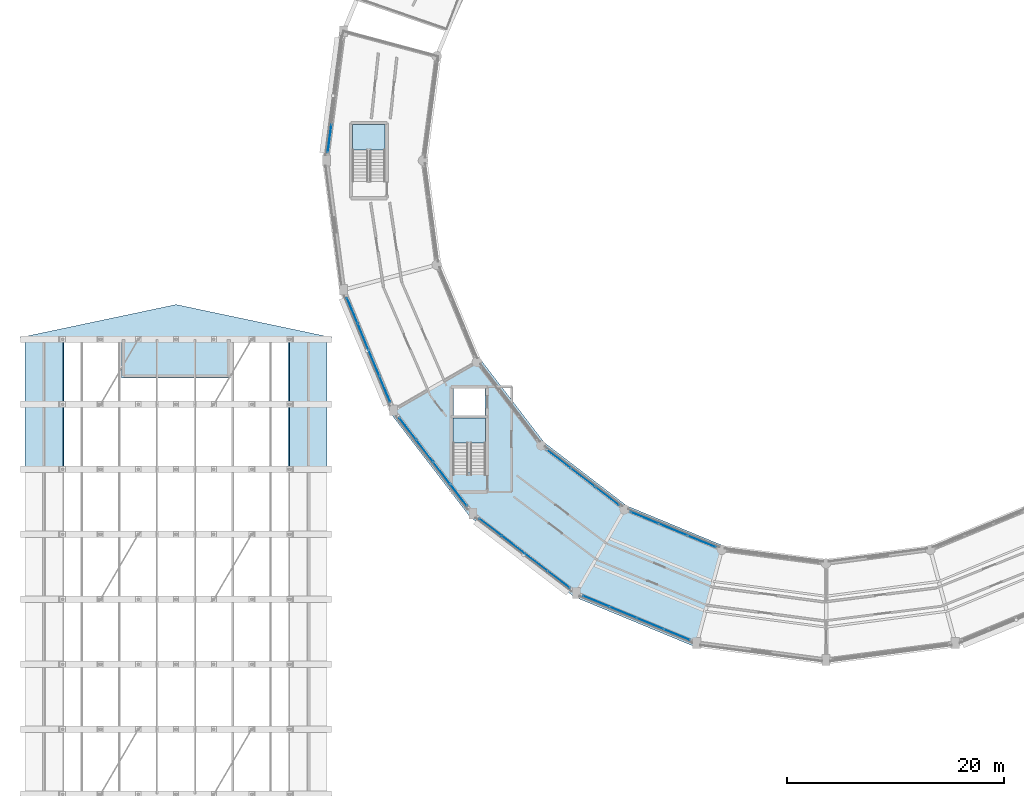
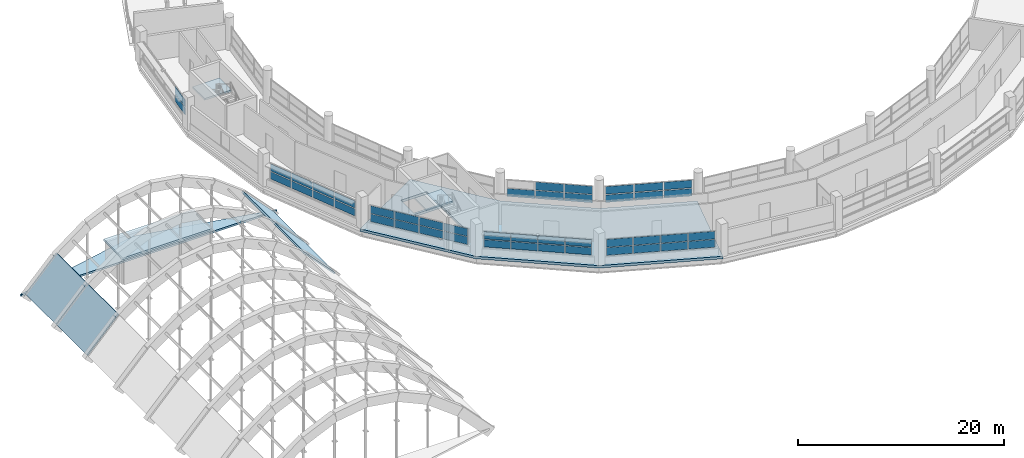
# One storey, part 67 of 88: 45 plates, 9 slabs, 10 elements without a shape of their own.
"""IFC4 building model written with IfcOpenShell, lengths in metres."""

from ifc_helpers import new_model, si_unit, direction, frame, origin, origin_2d, place, context, subcontext, project, spatial, polyline, rectangle, outline, extrude, material, layer, layer_set, type_object, element, aggregate, save


model = new_model("IFC4")

# Units and contexts
model_context = context("Model", 3, precision=1e-05, world=origin(), true_north=direction((0.0, 1.0)))
body_context = subcontext(model_context, "Body", "Model", "MODEL_VIEW")
ifc_project = project(units=[si_unit("LENGTHUNIT", "METRE"), si_unit("AREAUNIT", "SQUARE_METRE"), si_unit("VOLUMEUNIT", "CUBIC_METRE"), si_unit("PLANEANGLEUNIT", "RADIAN"), si_unit("MASSUNIT", "GRAM", prefix="KILO")], contexts=[model_context])

# Site, building, storey
site_placement = place(None, origin())
site = spatial("IfcSite", under=ifc_project, at=site_placement, CompositionType="ELEMENT")
building_placement = place(site_placement, origin())
building = spatial("IfcBuilding", under=site, at=building_placement, Name="Vespera Passage Community Centre", CompositionType="ELEMENT")
storey_placement = place(building_placement, frame((0.0, 0.0, 16.5)))
storey = spatial("IfcBuildingStorey", under=building, at=storey_placement, Name="L04", CompositionType="ELEMENT", Elevation=16.5)

# Curtain wall, plates
ifc_material_1 = material(Name="Anodized aluminium 6063-T6", Category="aluminium")
ifc_layer_1 = layer(ifc_material_1, 0.159912109375)
ifc_layer_set_1 = layer_set([ifc_layer_1], Name="Anodized aluminium 6063-T6")
curtain_wall_type_1 = type_object("IfcCurtainWallType", Name="CW-53E", PredefinedType="NOTDEFINED", material=ifc_layer_set_1)
curtain_wall_1_placement = place(storey_placement, origin())
curtain_wall_1 = element("IfcCurtainWall", 1, at=curtain_wall_1_placement, inside=storey, type_object=curtain_wall_type_1, Name="V4 L04 Outer Ribbon Curtain Wall 15", PredefinedType="NOTDEFINED")
ifc_material_2 = material(Name="Low-E insulated vision glass", Category="glass")
ifc_layer_2 = layer(ifc_material_2, 0.02001953125)
ifc_layer_set_2 = layer_set([ifc_layer_2], Name="Low-E insulated vision glass")
plate_type_1 = type_object("IfcPlateType", Name="PL-CWP-20E", PredefinedType="CURTAIN_PANEL", material=ifc_layer_set_2)
plate_1_placement = place(storey_placement, frame((53.33447265625, 26.81591796875, 0.919921875), z_axis=(0.0, 0.0, 1.0), x_axis=(-0.793345363065, 0.608771824991, 0.0)))
plate_1 = element("IfcPlate", 2, at=plate_1_placement, type_object=plate_type_1, Name="CW-53E panel 1.1", PredefinedType="CURTAIN_PANEL", context=body_context, shape_type="SweptSolid", body=[
    extrude(rectangle(XDim=2.5673828125, YDim=0.02001953125, at=origin_2d()), origin(), (0.0, 0.0, 1.0), 0.852783203125),
])
plate_2_placement = place(storey_placement, frame((53.33447265625, 26.81591796875, 1.873046875), z_axis=(0.0, 0.0, 1.0), x_axis=(-0.793345363065, 0.608771824991, 0.0)))
plate_2 = element("IfcPlate", 3, at=plate_2_placement, type_object=plate_type_1, Name="CW-53E panel 1.2", PredefinedType="CURTAIN_PANEL", context=body_context, shape_type="SweptSolid", body=[
    extrude(rectangle(XDim=2.5673828125, YDim=0.02001953125, at=origin_2d()), origin(), (0.0, 0.0, 1.0), 0.852783203125),
])
plate_3_placement = place(storey_placement, frame((51.233154296875, 28.42822265625, 0.919921875), z_axis=(0.0, 0.0, 1.0), x_axis=(-0.793345363065, 0.608771824991, 0.0)))
plate_3 = element("IfcPlate", 4, at=plate_3_placement, type_object=plate_type_1, Name="CW-53E panel 2.1", PredefinedType="CURTAIN_PANEL", context=body_context, shape_type="SweptSolid", body=[
    extrude(rectangle(XDim=2.599853515625, YDim=0.02001953125, at=origin_2d()), origin(), (0.0, 0.0, 1.0), 0.852783203125),
])
plate_4_placement = place(storey_placement, frame((51.233154296875, 28.42822265625, 1.873046875), z_axis=(0.0, 0.0, 1.0), x_axis=(-0.793345363065, 0.608771824991, 0.0)))
plate_4 = element("IfcPlate", 5, at=plate_4_placement, type_object=plate_type_1, Name="CW-53E panel 2.2", PredefinedType="CURTAIN_PANEL", context=body_context, shape_type="SweptSolid", body=[
    extrude(rectangle(XDim=2.599853515625, YDim=0.02001953125, at=origin_2d()), origin(), (0.0, 0.0, 1.0), 0.852783203125),
])
plate_5_placement = place(storey_placement, frame((49.119140625, 30.050537109375, 0.919921875), z_axis=(0.0, 0.0, 1.0), x_axis=(-0.793345363065, 0.608771824991, 0.0)))
plate_5 = element("IfcPlate", 6, at=plate_5_placement, type_object=plate_type_1, Name="CW-53E panel 3.1", PredefinedType="CURTAIN_PANEL", context=body_context, shape_type="SweptSolid", body=[
    extrude(rectangle(XDim=2.599853515625, YDim=0.02001953125, at=origin_2d()), origin(), (0.0, 0.0, 1.0), 0.852783203125),
])
plate_6_placement = place(storey_placement, frame((49.119140625, 30.050537109375, 1.873046875), z_axis=(0.0, 0.0, 1.0), x_axis=(-0.793345363065, 0.608771824991, 0.0)))
plate_6 = element("IfcPlate", 7, at=plate_6_placement, type_object=plate_type_1, Name="CW-53E panel 3.2", PredefinedType="CURTAIN_PANEL", context=body_context, shape_type="SweptSolid", body=[
    extrude(rectangle(XDim=2.599853515625, YDim=0.02001953125, at=origin_2d()), origin(), (0.0, 0.0, 1.0), 0.852783203125),
])
plate_7_placement = place(storey_placement, frame((47.017822265625, 31.662841796875, 0.919921875), z_axis=(0.0, 0.0, 1.0), x_axis=(-0.793345363065, 0.608771824991, 0.0)))
plate_7 = element("IfcPlate", 8, at=plate_7_placement, type_object=plate_type_1, Name="CW-53E panel 4.1", PredefinedType="CURTAIN_PANEL", context=body_context, shape_type="SweptSolid", body=[
    extrude(rectangle(XDim=2.5673828125, YDim=0.02001953125, at=origin_2d()), origin(), (0.0, 0.0, 1.0), 0.852783203125),
])
plate_8_placement = place(storey_placement, frame((47.017822265625, 31.662841796875, 1.873046875), z_axis=(0.0, 0.0, 1.0), x_axis=(-0.793345363065, 0.608771824991, 0.0)))
plate_8 = element("IfcPlate", 9, at=plate_8_placement, type_object=plate_type_1, Name="CW-53E panel 4.2", PredefinedType="CURTAIN_PANEL", context=body_context, shape_type="SweptSolid", body=[
    extrude(rectangle(XDim=2.5673828125, YDim=0.02001953125, at=origin_2d()), origin(), (0.0, 0.0, 1.0), 0.852783203125),
])
aggregate(curtain_wall_1, [plate_1, plate_2, plate_3, plate_4, plate_5, plate_6, plate_7, plate_8])

ifc_material_3 = material(Name="Anodized aluminium 6063-T6", Category="aluminium")
ifc_layer_3 = layer(ifc_material_3, 0.159912109375)
ifc_layer_set_3 = layer_set([ifc_layer_3], Name="Anodized aluminium 6063-T6")
curtain_wall_type_2 = type_object("IfcCurtainWallType", Name="CW-54E", PredefinedType="NOTDEFINED", material=ifc_layer_set_3)
curtain_wall_2_placement = place(storey_placement, origin())
curtain_wall_2 = element("IfcCurtainWall", 10, at=curtain_wall_2_placement, inside=storey, type_object=curtain_wall_type_2, Name="V4 L04 Inner Court Curtain Wall 15", PredefinedType="NOTDEFINED")
plate_9_placement = place(storey_placement, frame((53.308349609375, 37.958251953125, 0.880126953125), z_axis=(0.0, 0.0, 1.0), x_axis=(0.793358205999, -0.608755087843, 0.0)))
plate_9 = element("IfcPlate", 11, at=plate_9_placement, type_object=plate_type_1, Name="CW-54E panel 1.1", PredefinedType="CURTAIN_PANEL", context=body_context, shape_type="SweptSolid", body=[
    extrude(rectangle(XDim=2.72900390625, YDim=0.02001953125, at=origin_2d()), origin(), (0.0, 0.0, 1.0), 0.95458984375),
])
plate_10_placement = place(storey_placement, frame((55.5478515625, 36.23974609375, 0.880126953125), z_axis=(0.0, 0.0, 1.0), x_axis=(0.793358205999, -0.608755087843, 0.0)))
plate_10 = element("IfcPlate", 12, at=plate_10_placement, type_object=plate_type_1, Name="CW-54E panel 2.1", PredefinedType="CURTAIN_PANEL", context=body_context, shape_type="SweptSolid", body=[
    extrude(rectangle(XDim=2.7666015625, YDim=0.02001953125, at=origin_2d()), origin(), (0.0, 0.0, 1.0), 0.95458984375),
])
plate_11_placement = place(storey_placement, frame((55.5478515625, 36.23974609375, 1.894775390625), z_axis=(0.0, 0.0, 1.0), x_axis=(0.793358205999, -0.608755087843, 0.0)))
plate_11 = element("IfcPlate", 13, at=plate_11_placement, type_object=plate_type_1, Name="CW-54E panel 2.2", PredefinedType="CURTAIN_PANEL", context=body_context, shape_type="SweptSolid", body=[
    extrude(rectangle(XDim=2.7666015625, YDim=0.02001953125, at=origin_2d()), origin(), (0.0, 0.0, 1.0), 0.95458984375),
])
plate_12_placement = place(storey_placement, frame((57.787353515625, 34.521240234375, 0.880126953125), z_axis=(0.0, 0.0, 1.0), x_axis=(0.793358205999, -0.608755087843, 0.0)))
plate_12 = element("IfcPlate", 14, at=plate_12_placement, type_object=plate_type_1, Name="CW-54E panel 3.1", PredefinedType="CURTAIN_PANEL", context=body_context, shape_type="SweptSolid", body=[
    extrude(rectangle(XDim=2.72900390625, YDim=0.02001953125, at=origin_2d()), origin(), (0.0, 0.0, 1.0), 0.95458984375),
])
plate_13_placement = place(storey_placement, frame((57.787353515625, 34.521240234375, 1.894775390625), z_axis=(0.0, 0.0, 1.0), x_axis=(0.793358205999, -0.608755087843, 0.0)))
plate_13 = element("IfcPlate", 15, at=plate_13_placement, type_object=plate_type_1, Name="CW-54E panel 3.2", PredefinedType="CURTAIN_PANEL", context=body_context, shape_type="SweptSolid", body=[
    extrude(rectangle(XDim=2.72900390625, YDim=0.02001953125, at=origin_2d()), origin(), (0.0, 0.0, 1.0), 0.95458984375),
])
aggregate(curtain_wall_2, [plate_9, plate_10, plate_11, plate_12, plate_13])

ifc_material_4 = material(Name="Anodized aluminium 6063-T6", Category="aluminium")
ifc_layer_4 = layer(ifc_material_4, 0.159912109375)
ifc_layer_set_4 = layer_set([ifc_layer_4], Name="Anodized aluminium 6063-T6")
curtain_wall_type_3 = type_object("IfcCurtainWallType", Name="CW-65E", PredefinedType="NOTDEFINED", material=ifc_layer_set_4)
curtain_wall_3_placement = place(storey_placement, origin())
curtain_wall_3 = element("IfcCurtainWall", 16, at=curtain_wall_3_placement, inside=storey, type_object=curtain_wall_type_3, Name="V4 L04 Outer Ribbon Curtain Wall 13", PredefinedType="NOTDEFINED")
ifc_material_5 = material(Name="Low-E insulated vision glass", Category="glass")
ifc_layer_5 = layer(ifc_material_5, 0.028076171875)
ifc_layer_set_5 = layer_set([ifc_layer_5], Name="Low-E insulated vision glass")
plate_type_2 = type_object("IfcPlateType", Name="PL-CWP-28E", PredefinedType="CURTAIN_PANEL", material=ifc_layer_set_5)
plate_14_placement = place(storey_placement, frame((37.2763671875, 44.381103515625, 0.919921875), z_axis=(0.0, 0.0, 1.0), x_axis=(-0.382679142535, 0.923881309405, 0.0)))
plate_14 = element("IfcPlate", 17, at=plate_14_placement, type_object=plate_type_2, Name="CW-65E panel 1.1", PredefinedType="CURTAIN_PANEL", context=body_context, shape_type="SweptSolid", body=[
    extrude(rectangle(XDim=2.51806640625, YDim=0.028076171875, at=origin_2d()), origin(), (0.0, 0.0, 1.0), 0.852783203125),
])
plate_15_placement = place(storey_placement, frame((37.2763671875, 44.381103515625, 1.873046875), z_axis=(0.0, 0.0, 1.0), x_axis=(-0.382679142535, 0.923881309405, 0.0)))
plate_15 = element("IfcPlate", 18, at=plate_15_placement, type_object=plate_type_2, Name="CW-65E panel 1.2", PredefinedType="CURTAIN_PANEL", context=body_context, shape_type="SweptSolid", body=[
    extrude(rectangle(XDim=2.51806640625, YDim=0.028076171875, at=origin_2d()), origin(), (0.0, 0.0, 1.0), 0.852783203125),
])
plate_16_placement = place(storey_placement, frame((36.27685546875, 46.7939453125, 0.919921875), z_axis=(0.0, 0.0, 1.0), x_axis=(-0.382679142535, 0.923881309405, 0.0)))
plate_16 = element("IfcPlate", 19, at=plate_16_placement, type_object=plate_type_2, Name="CW-65E panel 2.1", PredefinedType="CURTAIN_PANEL", context=body_context, shape_type="SweptSolid", body=[
    extrude(rectangle(XDim=2.555419921875, YDim=0.028076171875, at=origin_2d()), origin(), (0.0, 0.0, 1.0), 0.852783203125),
])
plate_17_placement = place(storey_placement, frame((36.27685546875, 46.7939453125, 1.873046875), z_axis=(0.0, 0.0, 1.0), x_axis=(-0.382679142535, 0.923881309405, 0.0)))
plate_17 = element("IfcPlate", 20, at=plate_17_placement, type_object=plate_type_2, Name="CW-65E panel 2.2", PredefinedType="CURTAIN_PANEL", context=body_context, shape_type="SweptSolid", body=[
    extrude(rectangle(XDim=2.555419921875, YDim=0.028076171875, at=origin_2d()), origin(), (0.0, 0.0, 1.0), 0.852783203125),
])
plate_18_placement = place(storey_placement, frame((35.270263671875, 49.224365234375, 0.919921875), z_axis=(0.0, 0.0, 1.0), x_axis=(-0.382679142535, 0.923881309405, 0.0)))
plate_18 = element("IfcPlate", 21, at=plate_18_placement, type_object=plate_type_2, Name="CW-65E panel 3.1", PredefinedType="CURTAIN_PANEL", context=body_context, shape_type="SweptSolid", body=[
    extrude(rectangle(XDim=2.555419921875, YDim=0.028076171875, at=origin_2d()), origin(), (0.0, 0.0, 1.0), 0.852783203125),
])
plate_19_placement = place(storey_placement, frame((35.270263671875, 49.224365234375, 1.873046875), z_axis=(0.0, 0.0, 1.0), x_axis=(-0.382679142535, 0.923881309405, 0.0)))
plate_19 = element("IfcPlate", 22, at=plate_19_placement, type_object=plate_type_2, Name="CW-65E panel 3.2", PredefinedType="CURTAIN_PANEL", context=body_context, shape_type="SweptSolid", body=[
    extrude(rectangle(XDim=2.555419921875, YDim=0.028076171875, at=origin_2d()), origin(), (0.0, 0.0, 1.0), 0.852783203125),
])
plate_20_placement = place(storey_placement, frame((34.270751953125, 51.63720703125, 0.919921875), z_axis=(0.0, 0.0, 1.0), x_axis=(-0.382679142535, 0.923881309405, 0.0)))
plate_20 = element("IfcPlate", 23, at=plate_20_placement, type_object=plate_type_2, Name="CW-65E panel 4.1", PredefinedType="CURTAIN_PANEL", context=body_context, shape_type="SweptSolid", body=[
    extrude(rectangle(XDim=2.51806640625, YDim=0.028076171875, at=origin_2d()), origin(), (0.0, 0.0, 1.0), 0.852783203125),
])
plate_21_placement = place(storey_placement, frame((34.270751953125, 51.63720703125, 1.873046875), z_axis=(0.0, 0.0, 1.0), x_axis=(-0.382679142535, 0.923881309405, 0.0)))
plate_21 = element("IfcPlate", 24, at=plate_21_placement, type_object=plate_type_2, Name="CW-65E panel 4.2", PredefinedType="CURTAIN_PANEL", context=body_context, shape_type="SweptSolid", body=[
    extrude(rectangle(XDim=2.51806640625, YDim=0.028076171875, at=origin_2d()), origin(), (0.0, 0.0, 1.0), 0.852783203125),
])
aggregate(curtain_wall_3, [plate_14, plate_15, plate_16, plate_17, plate_18, plate_19, plate_20, plate_21])

ifc_material_6 = material(Name="Anodized aluminium 6063-T6", Category="aluminium")
ifc_layer_6 = layer(ifc_material_6, 0.159912109375)
ifc_layer_set_6 = layer_set([ifc_layer_6], Name="Anodized aluminium 6063-T6")
curtain_wall_type_4 = type_object("IfcCurtainWallType", Name="CW-55E", PredefinedType="NOTDEFINED", material=ifc_layer_set_6)
curtain_wall_4_placement = place(storey_placement, origin())
curtain_wall_4 = element("IfcCurtainWall", 25, at=curtain_wall_4_placement, inside=storey, type_object=curtain_wall_type_4, Name="V4 L04 Outer Ribbon Curtain Wall 16", PredefinedType="NOTDEFINED")
plate_22_placement = place(storey_placement, frame((64.23095703125, 21.73193359375, 0.8798828125), z_axis=(0.0, 0.0, 1.0), x_axis=(-0.923879738007, 0.382682936255, 0.0)))
plate_22 = element("IfcPlate", 26, at=plate_22_placement, type_object=plate_type_2, Name="CW-55E panel 1.1", PredefinedType="CURTAIN_PANEL", context=body_context, shape_type="SweptSolid", body=[
    extrude(rectangle(XDim=2.585693359375, YDim=0.028076171875, at=origin_2d()), origin(), (0.0, 0.0, 1.0), 0.912841796875),
])
plate_23_placement = place(storey_placement, frame((64.23095703125, 21.73193359375, 1.8525390625), z_axis=(0.0, 0.0, 1.0), x_axis=(-0.923879738007, 0.382682936255, 0.0)))
plate_23 = element("IfcPlate", 27, at=plate_23_placement, type_object=plate_type_2, Name="CW-55E panel 1.2", PredefinedType="CURTAIN_PANEL", context=body_context, shape_type="SweptSolid", body=[
    extrude(rectangle(XDim=2.585693359375, YDim=0.028076171875, at=origin_2d()), origin(), (0.0, 0.0, 1.0), 0.912841796875),
])
plate_24_placement = place(storey_placement, frame((61.755615234375, 22.75732421875, 0.8798828125), z_axis=(0.0, 0.0, 1.0), x_axis=(-0.923879738007, 0.382682936255, 0.0)))
plate_24 = element("IfcPlate", 28, at=plate_24_placement, type_object=plate_type_2, Name="CW-55E panel 2.1", PredefinedType="CURTAIN_PANEL", context=body_context, shape_type="SweptSolid", body=[
    extrude(rectangle(XDim=2.623291015625, YDim=0.028076171875, at=origin_2d()), origin(), (0.0, 0.0, 1.0), 0.912841796875),
])
plate_25_placement = place(storey_placement, frame((61.755615234375, 22.75732421875, 1.8525390625), z_axis=(0.0, 0.0, 1.0), x_axis=(-0.923879738007, 0.382682936255, 0.0)))
plate_25 = element("IfcPlate", 29, at=plate_25_placement, type_object=plate_type_2, Name="CW-55E panel 2.2", PredefinedType="CURTAIN_PANEL", context=body_context, shape_type="SweptSolid", body=[
    extrude(rectangle(XDim=2.623291015625, YDim=0.028076171875, at=origin_2d()), origin(), (0.0, 0.0, 1.0), 0.912841796875),
])
plate_26_placement = place(storey_placement, frame((59.2626953125, 23.789794921875, 0.8798828125), z_axis=(0.0, 0.0, 1.0), x_axis=(-0.923879738007, 0.382682936255, 0.0)))
plate_26 = element("IfcPlate", 30, at=plate_26_placement, type_object=plate_type_2, Name="CW-55E panel 3.1", PredefinedType="CURTAIN_PANEL", context=body_context, shape_type="SweptSolid", body=[
    extrude(rectangle(XDim=2.623291015625, YDim=0.028076171875, at=origin_2d()), origin(), (0.0, 0.0, 1.0), 0.912841796875),
])
plate_27_placement = place(storey_placement, frame((59.2626953125, 23.789794921875, 1.8525390625), z_axis=(0.0, 0.0, 1.0), x_axis=(-0.923879738007, 0.382682936255, 0.0)))
plate_27 = element("IfcPlate", 31, at=plate_27_placement, type_object=plate_type_2, Name="CW-55E panel 3.2", PredefinedType="CURTAIN_PANEL", context=body_context, shape_type="SweptSolid", body=[
    extrude(rectangle(XDim=2.623291015625, YDim=0.028076171875, at=origin_2d()), origin(), (0.0, 0.0, 1.0), 0.912841796875),
])
plate_28_placement = place(storey_placement, frame((56.787353515625, 24.815185546875, 0.8798828125), z_axis=(0.0, 0.0, 1.0), x_axis=(-0.923879738007, 0.382682936255, 0.0)))
plate_28 = element("IfcPlate", 32, at=plate_28_placement, type_object=plate_type_2, Name="CW-55E panel 4.1", PredefinedType="CURTAIN_PANEL", context=body_context, shape_type="SweptSolid", body=[
    extrude(rectangle(XDim=2.585693359375, YDim=0.028076171875, at=origin_2d()), origin(), (0.0, 0.0, 1.0), 0.912841796875),
])
plate_29_placement = place(storey_placement, frame((56.787353515625, 24.815185546875, 1.8525390625), z_axis=(0.0, 0.0, 1.0), x_axis=(-0.923879738007, 0.382682936255, 0.0)))
plate_29 = element("IfcPlate", 33, at=plate_29_placement, type_object=plate_type_2, Name="CW-55E panel 4.2", PredefinedType="CURTAIN_PANEL", context=body_context, shape_type="SweptSolid", body=[
    extrude(rectangle(XDim=2.585693359375, YDim=0.028076171875, at=origin_2d()), origin(), (0.0, 0.0, 1.0), 0.912841796875),
])
aggregate(curtain_wall_4, [plate_22, plate_23, plate_24, plate_25, plate_26, plate_27, plate_28, plate_29])

ifc_material_7 = material(Name="Anodized aluminium 6063-T6", Category="aluminium")
ifc_layer_7 = layer(ifc_material_7, 0.159912109375)
ifc_layer_set_7 = layer_set([ifc_layer_7], Name="Anodized aluminium 6063-T6")
curtain_wall_type_5 = type_object("IfcCurtainWallType", Name="CW-56E", PredefinedType="NOTDEFINED", material=ifc_layer_set_7)
curtain_wall_5_placement = place(storey_placement, origin())
curtain_wall_5 = element("IfcCurtainWall", 34, at=curtain_wall_5_placement, inside=storey, type_object=curtain_wall_type_5, Name="V4 L04 Inner Court Curtain Wall 16", PredefinedType="NOTDEFINED")
plate_30_placement = place(storey_placement, frame((61.2451171875, 32.519775390625, 0.919921875), z_axis=(0.0, 0.0, 1.0), x_axis=(0.923876620096, -0.382690463482, 0.0)))
plate_30 = element("IfcPlate", 35, at=plate_30_placement, type_object=plate_type_2, Name="CW-56E panel 1.1", PredefinedType="CURTAIN_PANEL", context=body_context, shape_type="SweptSolid", body=[
    extrude(rectangle(XDim=2.7646484375, YDim=0.028076171875, at=origin_2d()), origin(), (0.0, 0.0, 1.0), 0.894775390625),
])
plate_31_placement = place(storey_placement, frame((61.2451171875, 32.519775390625, 1.91455078125), z_axis=(0.0, 0.0, 1.0), x_axis=(0.923876620096, -0.382690463482, 0.0)))
plate_31 = element("IfcPlate", 36, at=plate_31_placement, type_object=plate_type_2, Name="CW-56E panel 1.2", PredefinedType="CURTAIN_PANEL", context=body_context, shape_type="SweptSolid", body=[
    extrude(rectangle(XDim=2.7646484375, YDim=0.028076171875, at=origin_2d()), origin(), (0.0, 0.0, 1.0), 0.894775390625),
])
plate_32_placement = place(storey_placement, frame((63.885986328125, 31.42578125, 0.919921875), z_axis=(0.0, 0.0, 1.0), x_axis=(0.923876620096, -0.382690463482, 0.0)))
plate_32 = element("IfcPlate", 37, at=plate_32_placement, type_object=plate_type_2, Name="CW-56E panel 2.1", PredefinedType="CURTAIN_PANEL", context=body_context, shape_type="SweptSolid", body=[
    extrude(rectangle(XDim=2.80224609375, YDim=0.028076171875, at=origin_2d()), origin(), (0.0, 0.0, 1.0), 0.894775390625),
])
plate_33_placement = place(storey_placement, frame((63.885986328125, 31.42578125, 1.91455078125), z_axis=(0.0, 0.0, 1.0), x_axis=(0.923876620096, -0.382690463482, 0.0)))
plate_33 = element("IfcPlate", 38, at=plate_33_placement, type_object=plate_type_2, Name="CW-56E panel 2.2", PredefinedType="CURTAIN_PANEL", context=body_context, shape_type="SweptSolid", body=[
    extrude(rectangle(XDim=2.80224609375, YDim=0.028076171875, at=origin_2d()), origin(), (0.0, 0.0, 1.0), 0.894775390625),
])
plate_34_placement = place(storey_placement, frame((66.52685546875, 30.331787109375, 0.919921875), z_axis=(0.0, 0.0, 1.0), x_axis=(0.923876620096, -0.382690463482, 0.0)))
plate_34 = element("IfcPlate", 39, at=plate_34_placement, type_object=plate_type_2, Name="CW-56E panel 3.1", PredefinedType="CURTAIN_PANEL", context=body_context, shape_type="SweptSolid", body=[
    extrude(rectangle(XDim=2.7646484375, YDim=0.028076171875, at=origin_2d()), origin(), (0.0, 0.0, 1.0), 0.894775390625),
])
plate_35_placement = place(storey_placement, frame((66.52685546875, 30.331787109375, 1.91455078125), z_axis=(0.0, 0.0, 1.0), x_axis=(0.923876620096, -0.382690463482, 0.0)))
plate_35 = element("IfcPlate", 40, at=plate_35_placement, type_object=plate_type_2, Name="CW-56E panel 3.2", PredefinedType="CURTAIN_PANEL", context=body_context, shape_type="SweptSolid", body=[
    extrude(rectangle(XDim=2.7646484375, YDim=0.028076171875, at=origin_2d()), origin(), (0.0, 0.0, 1.0), 0.894775390625),
])
aggregate(curtain_wall_5, [plate_30, plate_31, plate_32, plate_33, plate_34, plate_35])

ifc_material_8 = material(Name="Anodized aluminium 6063-T6", Category="aluminium")
ifc_layer_8 = layer(ifc_material_8, 0.159912109375)
ifc_layer_set_8 = layer_set([ifc_layer_8], Name="Anodized aluminium 6063-T6")
curtain_wall_type_6 = type_object("IfcCurtainWallType", Name="CW-63E", PredefinedType="NOTDEFINED", material=ifc_layer_set_8)
curtain_wall_6_placement = place(storey_placement, origin())
curtain_wall_6 = element("IfcCurtainWall", 41, at=curtain_wall_6_placement, inside=storey, type_object=curtain_wall_type_6, Name="V4 L04 Outer Ribbon Curtain Wall 11", PredefinedType="NOTDEFINED")
ifc_material_9 = material(Name="Acoustic triple-glazed vision glass", Category="glass")
ifc_layer_9 = layer(ifc_material_9, 0.035888671875)
ifc_layer_set_9 = layer_set([ifc_layer_9], Name="Acoustic triple-glazed vision glass")
plate_type_3 = type_object("IfcPlateType", Name="PL-CWP-36E", PredefinedType="CURTAIN_PANEL", material=ifc_layer_set_9)
plate_36_placement = place(storey_placement, frame((32.169189453125, 67.544921875, 0.919921875), z_axis=(0.0, 0.0, 1.0), x_axis=(0.130522869458, 0.991445298818, 0.0)))
plate_36 = element("IfcPlate", 42, at=plate_36_placement, type_object=plate_type_3, Name="CW-63E panel 1.1", PredefinedType="CURTAIN_PANEL", context=body_context, shape_type="SweptSolid", body=[
    extrude(rectangle(XDim=2.536376953125, YDim=0.035888671875, at=origin_2d()), origin(), (0.0, 0.0, 1.0), 0.852783203125),
])
plate_37_placement = place(storey_placement, frame((32.169189453125, 67.544921875, 1.873046875), z_axis=(0.0, 0.0, 1.0), x_axis=(0.130522869458, 0.991445298818, 0.0)))
plate_37 = element("IfcPlate", 43, at=plate_37_placement, type_object=plate_type_3, Name="CW-63E panel 1.2", PredefinedType="CURTAIN_PANEL", context=body_context, shape_type="SweptSolid", body=[
    extrude(rectangle(XDim=2.536376953125, YDim=0.035888671875, at=origin_2d()), origin(), (0.0, 0.0, 1.0), 0.852783203125),
])
aggregate(curtain_wall_6, [plate_36, plate_37])

ifc_material_10 = material(Name="Anodized aluminium 6063-T6", Category="aluminium")
ifc_layer_10 = layer(ifc_material_10, 0.159912109375)
ifc_layer_set_10 = layer_set([ifc_layer_10], Name="Anodized aluminium 6063-T6")
curtain_wall_type_7 = type_object("IfcCurtainWallType", Name="CW-66E", PredefinedType="NOTDEFINED", material=ifc_layer_set_10)
curtain_wall_7_placement = place(storey_placement, origin())
curtain_wall_7 = element("IfcCurtainWall", 44, at=curtain_wall_7_placement, inside=storey, type_object=curtain_wall_type_7, Name="V4 L04 Outer Ribbon Curtain Wall 14", PredefinedType="NOTDEFINED")
plate_38_placement = place(storey_placement, frame((44.095703125, 34.605224609375, 0.8798828125), z_axis=(0.0, 0.0, 1.0), x_axis=(-0.608765447029, 0.793350257139, 0.0)))
plate_38 = element("IfcPlate", 45, at=plate_38_placement, type_object=plate_type_3, Name="CW-66E panel 1.1", PredefinedType="CURTAIN_PANEL", context=body_context, shape_type="SweptSolid", body=[
    extrude(rectangle(XDim=2.480712890625, YDim=0.035888671875, at=origin_2d()), origin(), (0.0, 0.0, 1.0), 0.912841796875),
])
plate_39_placement = place(storey_placement, frame((44.095703125, 34.605224609375, 1.8525390625), z_axis=(0.0, 0.0, 1.0), x_axis=(-0.608765447029, 0.793350257139, 0.0)))
plate_39 = element("IfcPlate", 46, at=plate_39_placement, type_object=plate_type_3, Name="CW-66E panel 1.2", PredefinedType="CURTAIN_PANEL", context=body_context, shape_type="SweptSolid", body=[
    extrude(rectangle(XDim=2.480712890625, YDim=0.035888671875, at=origin_2d()), origin(), (0.0, 0.0, 1.0), 0.912841796875),
])
plate_40_placement = place(storey_placement, frame((42.528564453125, 36.6474609375, 0.8798828125), z_axis=(0.0, 0.0, 1.0), x_axis=(-0.608765447029, 0.793350257139, 0.0)))
plate_40 = element("IfcPlate", 47, at=plate_40_placement, type_object=plate_type_3, Name="CW-66E panel 2.1", PredefinedType="CURTAIN_PANEL", context=body_context, shape_type="SweptSolid", body=[
    extrude(rectangle(XDim=2.51806640625, YDim=0.035888671875, at=origin_2d()), origin(), (0.0, 0.0, 1.0), 0.912841796875),
])
plate_41_placement = place(storey_placement, frame((42.528564453125, 36.6474609375, 1.8525390625), z_axis=(0.0, 0.0, 1.0), x_axis=(-0.608765447029, 0.793350257139, 0.0)))
plate_41 = element("IfcPlate", 48, at=plate_41_placement, type_object=plate_type_3, Name="CW-66E panel 2.2", PredefinedType="CURTAIN_PANEL", context=body_context, shape_type="SweptSolid", body=[
    extrude(rectangle(XDim=2.51806640625, YDim=0.035888671875, at=origin_2d()), origin(), (0.0, 0.0, 1.0), 0.912841796875),
])
plate_42_placement = place(storey_placement, frame((40.949951171875, 38.704833984375, 0.8798828125), z_axis=(0.0, 0.0, 1.0), x_axis=(-0.608765447029, 0.793350257139, 0.0)))
plate_42 = element("IfcPlate", 49, at=plate_42_placement, type_object=plate_type_3, Name="CW-66E panel 3.1", PredefinedType="CURTAIN_PANEL", context=body_context, shape_type="SweptSolid", body=[
    extrude(rectangle(XDim=2.51806640625, YDim=0.035888671875, at=origin_2d()), origin(), (0.0, 0.0, 1.0), 0.912841796875),
])
plate_43_placement = place(storey_placement, frame((40.949951171875, 38.704833984375, 1.8525390625), z_axis=(0.0, 0.0, 1.0), x_axis=(-0.608765447029, 0.793350257139, 0.0)))
plate_43 = element("IfcPlate", 50, at=plate_43_placement, type_object=plate_type_3, Name="CW-66E panel 3.2", PredefinedType="CURTAIN_PANEL", context=body_context, shape_type="SweptSolid", body=[
    extrude(rectangle(XDim=2.51806640625, YDim=0.035888671875, at=origin_2d()), origin(), (0.0, 0.0, 1.0), 0.912841796875),
])
plate_44_placement = place(storey_placement, frame((39.3828125, 40.747314453125, 0.8798828125), z_axis=(0.0, 0.0, 1.0), x_axis=(-0.608765447029, 0.793350257139, 0.0)))
plate_44 = element("IfcPlate", 51, at=plate_44_placement, type_object=plate_type_3, Name="CW-66E panel 4.1", PredefinedType="CURTAIN_PANEL", context=body_context, shape_type="SweptSolid", body=[
    extrude(rectangle(XDim=2.480712890625, YDim=0.035888671875, at=origin_2d()), origin(), (0.0, 0.0, 1.0), 0.912841796875),
])
plate_45_placement = place(storey_placement, frame((39.3828125, 40.747314453125, 1.8525390625), z_axis=(0.0, 0.0, 1.0), x_axis=(-0.608765447029, 0.793350257139, 0.0)))
plate_45 = element("IfcPlate", 52, at=plate_45_placement, type_object=plate_type_3, Name="CW-66E panel 4.2", PredefinedType="CURTAIN_PANEL", context=body_context, shape_type="SweptSolid", body=[
    extrude(rectangle(XDim=2.480712890625, YDim=0.035888671875, at=origin_2d()), origin(), (0.0, 0.0, 1.0), 0.912841796875),
])
aggregate(curtain_wall_7, [plate_38, plate_39, plate_40, plate_41, plate_42, plate_43, plate_44, plate_45])

# Slab
ifc_material_11 = material(Name="Concrete f'c 35 MPa", Category="concrete")
ifc_layer_11 = layer(ifc_material_11, 0.300048828125)
ifc_layer_set_11 = layer_set([ifc_layer_11], Name="Concrete f'c 35 MPa")
slab_type_1 = type_object("IfcSlabType", Name="SL-HALL-300", PredefinedType="FLOOR", material=ifc_layer_set_11)
slab_1_placement = place(storey_placement, frame((0.0, 0.0, -0.300048828125)))
element("IfcSlab", 53, at=slab_1_placement, inside=storey, type_object=slab_type_1, Name="V4 L04 Library Sector 6 Slab", PredefinedType="FLOOR", context=body_context, shape_type="SweptSolid", body=[
    extrude(outline(polyline([(51.978515625, 39.478515625), (59.60009765625, 33.63037109375), (68.4755859375, 29.953857421875), (65.96484375, 20.58447265625), (54.75, 25.229736328125), (45.119384765625, 32.619384765625), (37.729736328125, 42.25), (46.13037109375, 47.10009765625), (51.978515625, 39.478515625)]), holes=[polyline([(43.56103515625, 41.719970703125), (43.56103515625, 36.75), (46.56103515625, 36.75), (46.56103515625, 41.719970703125), (43.56103515625, 41.719970703125)]), polyline([(46.510986328125, 44.4599609375), (43.611083984375, 44.4599609375), (43.611083984375, 41.9599609375), (46.510986328125, 41.9599609375), (46.510986328125, 44.4599609375)])]), origin(), (0.0, 0.0, 1.0), 0.300048828125),
])

# Stair, slab
ifc_material_12 = material(Name="Concrete f'c 35 MPa", Category="concrete")
stair_type_1 = type_object("IfcStairType", Name="ST-T06", PredefinedType="HALF_TURN_STAIR", material=ifc_material_12)
stair_1_placement = place(storey_placement, origin())
stair_1 = element("IfcStair", 54, at=stair_1_placement, inside=storey, type_object=stair_type_1, Name="L04 Core C2 Exit Stair ST04", PredefinedType="HALF_TURN_STAIR")
ifc_material_13 = material(Name="Concrete f'c 35 MPa", Category="concrete")
ifc_layer_12 = layer(ifc_material_13, 0.199951171875)
ifc_layer_set_12 = layer_set([ifc_layer_12], Name="Concrete f'c 35 MPa")
slab_type_2 = type_object("IfcSlabType", Name="SL-LAND-200I", PredefinedType="LANDING", material=ifc_layer_set_12)
slab_2_placement = place(storey_placement, frame((0.0, 0.0, 1.75)))
slab_2 = element("IfcSlab", 55, at=slab_2_placement, type_object=slab_type_2, Name="ST04 landing 1", PredefinedType="LANDING", context=body_context, shape_type="SweptSolid", body=[
    extrude(outline(polyline([(37.300048828125, 66.47509765625), (37.300048828125, 68.824951171875), (34.300048828125, 68.824951171875), (34.300048828125, 66.47509765625), (37.300048828125, 66.47509765625)])), origin(), (0.0, 0.0, 1.0), 0.199951171875),
])
aggregate(stair_1, [slab_2])

ifc_material_14 = material(Name="Concrete f'c 35 MPa", Category="concrete")
stair_type_2 = type_object("IfcStairType", Name="ST-T09", PredefinedType="HALF_TURN_STAIR", material=ifc_material_14)
stair_2_placement = place(storey_placement, origin())
stair_2 = element("IfcStair", 56, at=stair_2_placement, inside=storey, type_object=stair_type_2, Name="L04 Core C3 Exit Stair ST05", PredefinedType="HALF_TURN_STAIR")
slab_3_placement = place(storey_placement, frame((0.0, 0.0, 1.75)))
slab_3 = element("IfcSlab", 57, at=slab_3_placement, type_object=slab_type_2, Name="ST05 landing 1", PredefinedType="LANDING", context=body_context, shape_type="SweptSolid", body=[
    extrude(outline(polyline([(46.56103515625, 39.419921875), (46.56103515625, 41.719970703125), (43.56103515625, 41.719970703125), (43.56103515625, 39.419921875), (46.56103515625, 39.419921875)])), origin(), (0.0, 0.0, 1.0), 0.199951171875),
])
aggregate(stair_2, [slab_3])

# Roof, slab
ifc_material_15 = material(Name="Concrete f'c 45 MPa", Category="concrete")
roof_type = type_object("IfcRoofType", Name="RF-VAULT-V1", PredefinedType="BARREL_ROOF", material=ifc_material_15)
roof_placement = place(storey_placement, origin())
roof = element("IfcRoof", 58, at=roof_placement, inside=storey, type_object=roof_type, Name="Main Hall Barrel-Vaulted Roof V1", PredefinedType="BARREL_ROOF")
ifc_material_16 = material(Name="Concrete f'c 35 MPa", Category="concrete")
ifc_layer_13 = layer(ifc_material_16, 0.219970703125)
ifc_layer_set_13 = layer_set([ifc_layer_13], Name="Concrete f'c 35 MPa")
slab_type_3 = type_object("IfcSlabType", Name="SL-ROOF-220E", PredefinedType="ROOF", material=ifc_layer_set_13)
slab_4_placement = place(storey_placement, frame((0.0, 0.0, -0.219970703125)))
slab_4 = element("IfcSlab", 59, at=slab_4_placement, inside=storey, type_object=slab_type_3, Name="V1 L04 N Apse Roof Slab", PredefinedType="ROOF", context=body_context, shape_type="SweptSolid", body=[
    extrude(outline(polyline([(3.590087890625, 49.158203125), (18.0, 52.20556640625), (32.409912109375, 49.158203125), (32.310302734375, 49.0400390625), (3.689697265625, 49.0400390625), (3.590087890625, 49.158203125)])), origin(), (0.0, 0.0, 1.0), 0.219970703125),
])

# Slab
slab_5_placement = place(storey_placement, frame((0.0, 0.0, 3.050048828125)))
element("IfcSlab", 60, at=slab_5_placement, inside=storey, type_object=slab_type_3, Name="Core C5 Overrun Roof Cap Slab", PredefinedType="ROOF", context=body_context, shape_type="SweptSolid", body=[
    extrude(outline(polyline([(12.965087890625, 45.43994140625), (23.034912109375, 45.43994140625), (23.034912109375, 49.159912109375), (12.965087890625, 49.159912109375), (12.965087890625, 45.43994140625)])), origin(), (0.0, 0.0, 1.0), 0.219970703125),
])

ifc_material_17 = material(Name="Concrete f'c 45 MPa", Category="concrete")
ifc_layer_14 = layer(ifc_material_17, 0.179931640625)
ifc_layer_set_14 = layer_set([ifc_layer_14], Name="Concrete f'c 45 MPa")
slab_type_4 = type_object("IfcSlabType", Name="SL-VAULT-180E", PredefinedType="ROOF", material=ifc_layer_set_14)
slab_6_placement = place(storey_placement, frame((4.050048828125, 37.0, 0.0), z_axis=(-0.725368683561, 0.0, 0.688360568967), x_axis=(0.688360568967, 0.0, 0.725368683561)))
slab_6 = element("IfcSlab", 61, at=slab_6_placement, inside=storey, type_object=slab_type_4, Name="Main Hall Barrel Vault Panel B6.1", PredefinedType="ROOF", context=body_context, shape_type="SweptSolid", body=[
    extrude(outline(polyline([(0.0, 0.0), (5.066456426108784, 0.0), (5.066456426108784, 6.0), (0.0, 6.0), (0.0, 0.0)])), origin(), (0.0, 0.0, -1.0), 0.179931640625),
])

slab_7_placement = place(storey_placement, frame((28.46240234375, 37.0, 3.675048828125), z_axis=(0.725368683561, 0.0, 0.688360568967), x_axis=(0.688360568967, 0.0, -0.725368683561)))
slab_7 = element("IfcSlab", 62, at=slab_7_placement, inside=storey, type_object=slab_type_4, Name="Main Hall Barrel Vault Panel B6.8", PredefinedType="ROOF", context=body_context, shape_type="SweptSolid", body=[
    extrude(outline(polyline([(0.0, 0.0), (5.066456426108784, 0.0), (5.066456426108784, 6.0), (0.0, 6.0), (0.0, 0.0)])), origin(), (0.0, 0.0, -1.0), 0.179931640625),
])

slab_8_placement = place(storey_placement, frame((4.050048828125, 43.0, 0.0), z_axis=(-0.725368683561, 0.0, 0.688360568967), x_axis=(0.688360568967, 0.0, 0.725368683561)))
slab_8 = element("IfcSlab", 63, at=slab_8_placement, inside=storey, type_object=slab_type_4, Name="Main Hall Barrel Vault Panel B7.1", PredefinedType="ROOF", context=body_context, shape_type="SweptSolid", body=[
    extrude(outline(polyline([(0.0, 0.0), (5.066456426108784, 0.0), (5.066456426108784, 6.0), (0.0, 6.0), (0.0, 0.0)])), origin(), (0.0, 0.0, -1.0), 0.179931640625),
])

slab_9_placement = place(storey_placement, frame((28.46240234375, 43.0, 3.675048828125), z_axis=(0.725368683561, 0.0, 0.688360568967), x_axis=(0.688360568967, 0.0, -0.725368683561)))
slab_9 = element("IfcSlab", 64, at=slab_9_placement, inside=storey, type_object=slab_type_4, Name="Main Hall Barrel Vault Panel B7.8", PredefinedType="ROOF", context=body_context, shape_type="SweptSolid", body=[
    extrude(outline(polyline([(0.0, 0.0), (5.066456426108784, 0.0), (5.066456426108784, 6.0), (0.0, 6.0), (0.0, 0.0)])), origin(), (0.0, 0.0, -1.0), 0.179931640625),
])

aggregate(roof, [slab_6, slab_7, slab_8, slab_9, slab_4])

save(model, "model.ifc")
